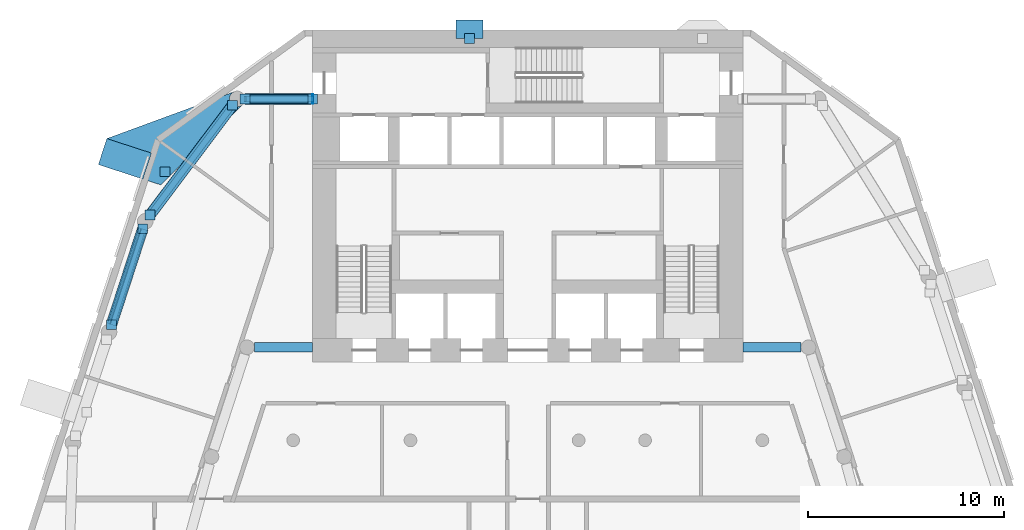
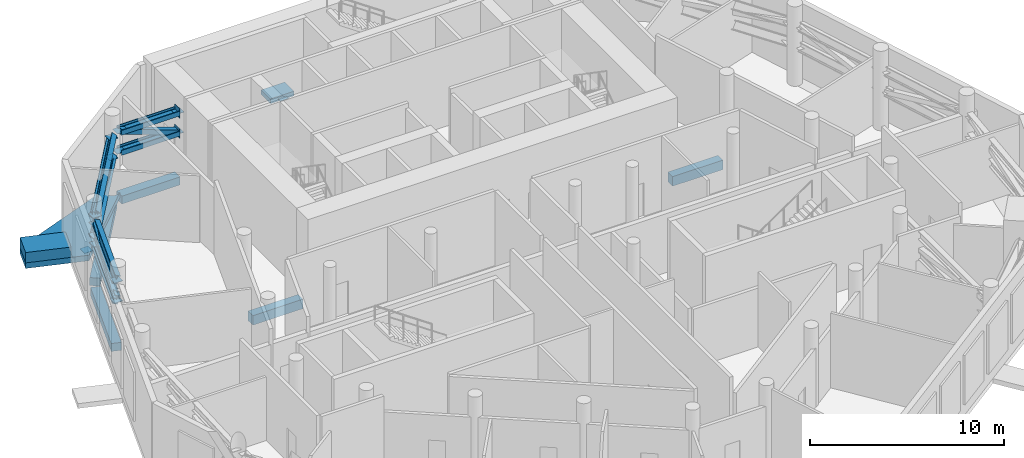
# One storey, part 4 of 15: 16 discrete accessories, 12 members, 5 beams.
"""IFC4 building model written with IfcOpenShell, lengths in metres."""

from ifc_helpers import new_model, si_unit, direction, frame, origin, origin_2d, place, context, subcontext, project, spatial, polyline, rectangle, hollow_rectangle, i_section, outline, extrude, material, layer, layer_set, material_profile, profile_set, type_object, element, aggregate, save


model = new_model("IFC4")

# Units and contexts
model_context = context("Model", 3, precision=1e-05, world=origin(), true_north=direction((0.0, 1.0)))
body_context = subcontext(model_context, "Body", "Model", "MODEL_VIEW")
ifc_project = project(units=[si_unit("LENGTHUNIT", "METRE"), si_unit("AREAUNIT", "SQUARE_METRE"), si_unit("VOLUMEUNIT", "CUBIC_METRE"), si_unit("PLANEANGLEUNIT", "RADIAN"), si_unit("MASSUNIT", "GRAM", prefix="KILO")], contexts=[model_context])

# Site, building, storey
site_placement = place(None, origin())
site = spatial("IfcSite", under=ifc_project, at=site_placement, CompositionType="ELEMENT")
building_placement = place(site_placement, origin())
building = spatial("IfcBuilding", under=site, at=building_placement, Name="White Candle Pilgrim Tower", CompositionType="ELEMENT")
storey_placement = place(building_placement, frame((0.0, 0.0, 85.800048828125)))
storey = spatial("IfcBuildingStorey", under=building, at=storey_placement, Name="L18", CompositionType="ELEMENT", Elevation=85.800048828125)

# Member
ifc_material_1 = material(Name="Steel S355", Category="steel")
ifc_material_profile_1 = material_profile(ifc_material_1, i_section(OverallWidth=0.305908203125, OverallDepth=0.52392578125, WebThickness=0.02099609375, FlangeThickness=0.0400390625, FilletRadius=0.027099609375, at=origin_2d()), Name="HEM 500")
ifc_profile_set_1 = profile_set([ifc_material_profile_1], Name="Steel S355")
member_type_1 = type_object("IfcMemberType", Name="Belt truss chord HEM 500 S355", PredefinedType="CHORD", material=ifc_profile_set_1)
member_1_placement = place(storey_placement, frame((55.5400390625, 84.4599609375, 2.411865234375), z_axis=(1.0, 0.0, 0.0), x_axis=(0.0, 0.0, 1.0)))
member_1 = element("IfcMember", 1, at=member_1_placement, inside=storey, type_object=member_type_1, Name="L18 belt truss bottom chord 12", PredefinedType="CHORD", context=body_context, shape_type="SweptSolid", body=[
    extrude(i_section(OverallWidth=0.305908203125, OverallDepth=0.52392578125, WebThickness=0.02099609375, FlangeThickness=0.0400390625, FilletRadius=0.027099609375, at=origin_2d()), origin(), (0.0, 0.0, 1.0), 3.4599609375),
])

member_2_placement = place(storey_placement, frame((55.5400390625, 84.4599609375, 3.677978515625), z_axis=(1.0, 0.0, 0.0), x_axis=(0.0, 0.0, 1.0)))
member_2 = element("IfcMember", 2, at=member_2_placement, inside=storey, type_object=member_type_1, Name="L18 belt truss top chord 12", PredefinedType="CHORD", context=body_context, shape_type="SweptSolid", body=[
    extrude(i_section(OverallWidth=0.305908203125, OverallDepth=0.52392578125, WebThickness=0.02099609375, FlangeThickness=0.0400390625, FilletRadius=0.027099609375, at=origin_2d()), origin(), (0.0, 0.0, 1.0), 3.4599609375),
])

member_3_placement = place(storey_placement, frame((54.899658203125, 84.140380859375, 2.411865234375), z_axis=(-0.601237643972, -0.79907026942, 0.0), x_axis=(0.638522093068, -0.480437745655, -0.601223011215)))
member_3 = element("IfcMember", 3, at=member_3_placement, inside=storey, type_object=member_type_1, Name="L18 belt truss bottom chord 13", PredefinedType="CHORD", context=body_context, shape_type="SweptSolid", body=[
    extrude(i_section(OverallWidth=0.305908203125, OverallDepth=0.52392578125, WebThickness=0.02099609375, FlangeThickness=0.0400390625, FilletRadius=0.027099609375, at=origin_2d()), origin(), (0.0, 0.0, 1.0), 7.0341796875),
])

member_4_placement = place(storey_placement, frame((54.899658203125, 84.140380859375, 3.677978515625), z_axis=(-0.601237643972, -0.79907026942, 0.0), x_axis=(0.638522093068, -0.480437745655, -0.601223011215)))
member_4 = element("IfcMember", 4, at=member_4_placement, inside=storey, type_object=member_type_1, Name="L18 belt truss top chord 13", PredefinedType="CHORD", context=body_context, shape_type="SweptSolid", body=[
    extrude(i_section(OverallWidth=0.305908203125, OverallDepth=0.52392578125, WebThickness=0.02099609375, FlangeThickness=0.0400390625, FilletRadius=0.027099609375, at=origin_2d()), origin(), (0.0, 0.0, 1.0), 7.0341796875),
])

member_5_placement = place(storey_placement, frame((50.305908203125, 77.81982421875, 2.411865234375), z_axis=(-0.310165508273, -0.950682574511, 0.0), x_axis=(0.903789199888, -0.29486628247, -0.310191807805)))
member_5 = element("IfcMember", 5, at=member_5_placement, inside=storey, type_object=member_type_1, Name="L18 belt truss bottom chord 14", PredefinedType="CHORD", context=body_context, shape_type="SweptSolid", body=[
    extrude(i_section(OverallWidth=0.305908203125, OverallDepth=0.52392578125, WebThickness=0.02099609375, FlangeThickness=0.0400390625, FilletRadius=0.027099609375, at=origin_2d()), origin(), (0.0, 0.0, 1.0), 5.164306640625),
])

member_6_placement = place(storey_placement, frame((50.305908203125, 77.81982421875, 3.677978515625), z_axis=(-0.310165508273, -0.950682574511, 0.0), x_axis=(0.903789199888, -0.29486628247, -0.310191807805)))
member_6 = element("IfcMember", 6, at=member_6_placement, inside=storey, type_object=member_type_1, Name="L18 belt truss top chord 14", PredefinedType="CHORD", context=body_context, shape_type="SweptSolid", body=[
    extrude(i_section(OverallWidth=0.305908203125, OverallDepth=0.52392578125, WebThickness=0.02099609375, FlangeThickness=0.0400390625, FilletRadius=0.027099609375, at=origin_2d()), origin(), (0.0, 0.0, 1.0), 5.164306640625),
])

# Members
ifc_material_profile_2 = material_profile(ifc_material_1, hollow_rectangle(XDim=0.300048828125, YDim=0.300048828125, WallThickness=0.01611328125, at=origin_2d()), Name="SHS 300x300x16")
ifc_profile_set_2 = profile_set([ifc_material_profile_2], Name="Steel S355")
member_type_2 = type_object("IfcMemberType", Name="Belt truss diagonal SHS 300x300x16 S355", PredefinedType="BRACE", material=ifc_profile_set_2)
member_7_placement = place(storey_placement, frame((55.5400390625, 84.4599609375, 3.677978515625), z_axis=(0.939098861151, 0.0, -0.343647099487), x_axis=(0.0, 1.0, 0.0)))
element("IfcMember", 7, at=member_7_placement, inside=storey, type_object=member_type_2, Name="L18 belt truss diagonal 12", PredefinedType="BRACE", context=body_context, shape_type="SweptSolid", body=[
    extrude(hollow_rectangle(XDim=0.300048828125, YDim=0.300048828125, WallThickness=0.01611328125, at=origin_2d()), origin(), (0.0, 0.0, 1.0), 3.684326171875),
])
member_8_placement = place(storey_placement, frame((54.899658203125, 84.140380859375, 2.411865234375), z_axis=(-0.591728786998, -0.786432596148, 0.177146307763), x_axis=(0.79907026942, -0.601237643972, 0.0)))
element("IfcMember", 8, at=member_8_placement, inside=storey, type_object=member_type_2, Name="L18 belt truss diagonal 13", PredefinedType="BRACE", context=body_context, shape_type="SweptSolid", body=[
    extrude(hollow_rectangle(XDim=0.300048828125, YDim=0.300048828125, WallThickness=0.01611328125, at=origin_2d()), origin(), (0.0, 0.0, 1.0), 7.147216796875),
])
member_9_placement = place(storey_placement, frame((50.305908203125, 77.81982421875, 3.677978515625), z_axis=(-0.301244426885, -0.923338732611, -0.238112116724), x_axis=(0.950682574511, -0.310165508273, 0.0)))
element("IfcMember", 9, at=member_9_placement, inside=storey, type_object=member_type_2, Name="L18 belt truss diagonal 14", PredefinedType="BRACE", context=body_context, shape_type="SweptSolid", body=[
    extrude(hollow_rectangle(XDim=0.300048828125, YDim=0.300048828125, WallThickness=0.01611328125, at=origin_2d()), origin(), (0.0, 0.0, 1.0), 5.3173828125),
])

# Member
ifc_material_2 = material(Name="Concrete C70/85, white", Category="concrete")
ifc_layer_1 = layer(ifc_material_2, 0.300048828125)
ifc_layer_set_1 = layer_set([ifc_layer_1], Name="Node tie strut 3350x1400x300 C70/85")
member_type_3 = type_object("IfcMemberType", Name="Node tie strut 3350x1400x300 C70/85", PredefinedType="STRUT", material=ifc_layer_set_1)
member_10_placement = place(storey_placement, frame((0.0, 0.0, -0.35009765625)))
member_10 = element("IfcMember", 10, at=member_10_placement, inside=storey, type_object=member_type_3, Name="Node tie strut NC049", PredefinedType="STRUT", context=body_context, shape_type="SweptSolid", body=[
    extrude(outline(polyline([(51.2216796875, 80.06787109375), (55.4228515625, 84.17724609375), (55.40380859375, 84.1591796875), (55.383544921875, 84.142578125), (55.3623046875, 84.12744140625), (55.340087890625, 84.113525390625), (55.31689453125, 84.101318359375), (55.293212890625, 84.09033203125), (55.2685546875, 84.081298828125), (55.243408203125, 84.073486328125), (55.218017578125, 84.067626953125), (55.192138671875, 84.0634765625), (55.166259765625, 84.060791015625), (55.139892578125, 84.06005859375), (55.11376953125, 84.060791015625), (55.087890625, 84.0634765625), (55.06201171875, 84.067626953125), (55.03662109375, 84.073486328125), (55.011474609375, 84.081298828125), (54.98681640625, 84.09033203125), (54.963134765625, 84.101318359375), (54.93994140625, 84.113525390625), (54.917724609375, 84.12744140625), (54.896484375, 84.142578125), (54.876220703125, 84.1591796875), (54.857177734375, 84.17724609375), (54.83935546875, 84.1962890625), (54.82275390625, 84.216552734375), (54.807373046875, 84.23779296875), (54.793701171875, 84.260009765625), (54.78125, 84.283203125), (54.7705078125, 84.306884765625), (54.76123046875, 84.331298828125), (54.753662109375, 84.3564453125), (54.747802734375, 84.382080078125), (54.743408203125, 84.40771484375), (54.740966796875, 84.433837890625), (54.739990234375, 84.4599609375), (54.740966796875, 84.486083984375), (54.743408203125, 84.51220703125), (54.747802734375, 84.5380859375), (54.753662109375, 84.5634765625), (54.76123046875, 84.588623046875), (54.7705078125, 84.613037109375), (54.78125, 84.636962890625), (54.793701171875, 84.659912109375), (54.807373046875, 84.68212890625), (54.82275390625, 84.70361328125), (54.83935546875, 84.7236328125), (54.857177734375, 84.742919921875), (54.876220703125, 84.7607421875), (54.896484375, 84.77734375), (54.917724609375, 84.79248046875), (54.93994140625, 84.806396484375), (54.963134765625, 84.818603515625), (54.98681640625, 84.82958984375), (55.011474609375, 84.8388671875), (48.46826171875, 82.4345703125), (48.03564453125, 81.10302734375), (51.2216796875, 80.06787109375)])), origin(), (0.0, 0.0, 1.0), 0.35009765625),
])

member_11_placement = place(storey_placement, origin())
element("IfcMember", 11, at=member_11_placement, inside=storey, type_object=member_type_3, Name="Node tie strut NC049", PredefinedType="STRUT", context=body_context, shape_type="SweptSolid", body=[
    extrude(outline(polyline([(50.318115234375, 80.361328125), (50.750732421875, 81.69287109375), (48.46826171875, 82.4345703125), (48.03564453125, 81.10302734375), (50.318115234375, 80.361328125)])), origin(), (0.0, 0.0, 1.0), 0.64990234375),
])

ifc_layer_2 = layer(ifc_material_2, 0.300048828125)
ifc_layer_set_2 = layer_set([ifc_layer_2], Name="Node tie strut 950x1400x300 C70/85")
member_type_4 = type_object("IfcMemberType", Name="Node tie strut 950x1400x300 C70/85", PredefinedType="STRUT", material=ifc_layer_set_2)
member_12_placement = place(storey_placement, frame((67.02099609375, 88.02490234375, -0.30029296875), z_axis=(0.0, 0.0, 1.0), x_axis=(-1.0, 0.0, 0.0)))
member_12 = element("IfcMember", 12, at=member_12_placement, inside=storey, type_object=member_type_4, Name="Node tie strut NC044", PredefinedType="STRUT", context=body_context, shape_type="SweptSolid", body=[
    extrude(rectangle(XDim=1.39990234375, YDim=0.949951171875, at=origin_2d()), origin(), (0.0, 0.0, 1.0), 0.300048828125),
])

# Beams
ifc_material_3 = material(Name="Concrete C50/60", Category="concrete")
ifc_material_profile_3 = material_profile(ifc_material_3, rectangle(XDim=0.5, YDim=0.60009765625, at=origin_2d()), Name="RC-BM 500x600")
ifc_profile_set_3 = profile_set([ifc_material_profile_3], Name="Concrete C50/60")
beam_type_1 = type_object("IfcBeamType", Name="Ring beam RC-BM 500x600 C50/60", PredefinedType="BEAM", material=ifc_profile_set_3)
for number, where, z_axis, x_axis, name in (
    (13, (83.985107421875, 71.760009765625, -0.60009765625), (-1.0, 0.0, 0.0), (0.0, -1.0, 0.0), "L18 ring beam R10"),
    (14, (56.014892578125, 71.760009765625, -0.60009765625), (1.0, 0.0, 0.0), (0.0, 1.0, 0.0), "L18 ring beam R11"),
):
    element("IfcBeam", number, at=place(storey_placement, frame(where, z_axis=z_axis, x_axis=x_axis)), inside=storey, type_object=beam_type_1, Name=name, PredefinedType="BEAM", context=body_context, shape_type="SweptSolid", body=[
        extrude(rectangle(XDim=0.5, YDim=0.60009765625, at=origin_2d()), origin(), (0.0, 0.0, 1.0), 2.985107421875),
    ])
ifc_material_profile_4 = material_profile(ifc_material_3, rectangle(XDim=0.550048828125, YDim=0.5, at=origin_2d()), Name="RC-BM 550x500")
ifc_profile_set_4 = profile_set([ifc_material_profile_4], Name="Concrete C50/60")
beam_type_2 = type_object("IfcBeamType", Name="Spandrel beam RC-BM 550x500 C50/60", PredefinedType="BEAM", material=ifc_profile_set_4)
beam_1_placement = place(storey_placement, frame((55.5400390625, 84.4599609375, -0.550048828125), z_axis=(1.0, 0.0, 0.0), x_axis=(0.0, 1.0, 0.0)))
element("IfcBeam", 15, at=beam_1_placement, inside=storey, type_object=beam_type_2, Name="L18 spandrel beam T12", PredefinedType="BEAM", context=body_context, shape_type="SweptSolid", body=[
    extrude(rectangle(XDim=0.550048828125, YDim=0.5, at=origin_2d()), origin(), (0.0, 0.0, 1.0), 3.4599609375),
])
beam_2_placement = place(storey_placement, frame((54.899658203125, 84.140380859375, -0.550048828125), z_axis=(-0.601237643972, -0.79907026942, 0.0), x_axis=(0.79907026942, -0.601237643972, 0.0)))
element("IfcBeam", 16, at=beam_2_placement, inside=storey, type_object=beam_type_2, Name="L18 spandrel beam T13", PredefinedType="BEAM", context=body_context, shape_type="SweptSolid", body=[
    extrude(rectangle(XDim=0.550048828125, YDim=0.5, at=origin_2d()), origin(), (0.0, 0.0, 1.0), 7.0341796875),
])
beam_3_placement = place(storey_placement, frame((50.305908203125, 77.81982421875, -0.550048828125), z_axis=(-0.310165508273, -0.950682574511, 0.0), x_axis=(0.950682574511, -0.310165508273, 0.0)))
element("IfcBeam", 17, at=beam_3_placement, inside=storey, type_object=beam_type_2, Name="L18 spandrel beam T14", PredefinedType="BEAM", context=body_context, shape_type="SweptSolid", body=[
    extrude(rectangle(XDim=0.550048828125, YDim=0.5, at=origin_2d()), origin(), (0.0, 0.0, 1.0), 5.164306640625),
])

# Discrete accessory
ifc_layer_3 = layer(ifc_material_1, 0.030029296875)
ifc_layer_set_3 = layer_set([ifc_layer_3], Name="Cast-in plate 500x600x30 S355")
discrete_accessory_type_1 = type_object("IfcDiscreteAccessoryType", Name="Cast-in plate 500x600x30 S355", PredefinedType="ANCHORPLATE", material=ifc_layer_set_3)
discrete_accessory_1_placement = place(storey_placement, frame((59.0, 84.4599609375, 2.11181640625), z_axis=(0.0, 0.0, 1.0), x_axis=(-1.0, 0.0, 0.0)))
discrete_accessory_1 = element("IfcDiscreteAccessory", 18, at=discrete_accessory_1_placement, type_object=discrete_accessory_type_1, Name="Cast-in plate 0005", PredefinedType="ANCHORPLATE", context=body_context, shape_type="SweptSolid", body=[
    extrude(rectangle(XDim=0.030029296875, YDim=0.5, at=origin_2d()), origin(), (0.0, 0.0, 1.0), 0.60009765625),
])

discrete_accessory_2_placement = place(storey_placement, frame((59.0, 84.4599609375, 3.3779296875), z_axis=(0.0, 0.0, 1.0), x_axis=(-1.0, 0.0, 0.0)))
discrete_accessory_2 = element("IfcDiscreteAccessory", 19, at=discrete_accessory_2_placement, type_object=discrete_accessory_type_1, Name="Cast-in plate 0006", PredefinedType="ANCHORPLATE", context=body_context, shape_type="SweptSolid", body=[
    extrude(rectangle(XDim=0.030029296875, YDim=0.5, at=origin_2d()), origin(), (0.0, 0.0, 1.0), 0.60009765625),
])

ifc_layer_4 = layer(ifc_material_1, 0.02490234375)
ifc_layer_set_4 = layer_set([ifc_layer_4], Name="Gusset plate 500x500x25 S355")
discrete_accessory_type_2 = type_object("IfcDiscreteAccessoryType", Name="Gusset plate 500x500x25 S355", PredefinedType="BRACKET", material=ifc_layer_set_4)
discrete_accessory_3_placement = place(storey_placement, frame((67.02099609375, 87.550048828125, -0.16259765625), z_axis=(0.0, 0.0, 1.0), x_axis=(1.0, 0.0, 0.0)))
discrete_accessory_3 = element("IfcDiscreteAccessory", 20, at=discrete_accessory_3_placement, type_object=discrete_accessory_type_2, Name="Gusset plate 0425", PredefinedType="BRACKET", context=body_context, shape_type="SweptSolid", body=[
    extrude(rectangle(XDim=0.5, YDim=0.5, at=origin_2d()), origin(), (0.0, 0.0, 1.0), 0.02490234375),
])

aggregate(member_12, [discrete_accessory_3])

discrete_accessory_4_placement = place(storey_placement, frame((51.43798828125, 80.733642578125, -0.16259765625), z_axis=(0.0, 0.0, 1.0), x_axis=(1.0, 0.0, 0.0)))
discrete_accessory_4 = element("IfcDiscreteAccessory", 21, at=discrete_accessory_4_placement, type_object=discrete_accessory_type_2, Name="Gusset plate 0430", PredefinedType="BRACKET", context=body_context, shape_type="SweptSolid", body=[
    extrude(rectangle(XDim=0.5, YDim=0.5, at=origin_2d()), origin(), (0.0, 0.0, 1.0), 0.02490234375),
])

aggregate(member_10, [discrete_accessory_4])

discrete_accessory_5_placement = place(storey_placement, frame((55.5400390625, 84.4599609375, 2.3994140625), z_axis=(0.0, 0.0, 1.0), x_axis=(1.0, 0.0, 0.0)))
discrete_accessory_5 = element("IfcDiscreteAccessory", 22, at=discrete_accessory_5_placement, type_object=discrete_accessory_type_2, Name="Gusset plate 0702", PredefinedType="BRACKET", context=body_context, shape_type="SweptSolid", body=[
    extrude(rectangle(XDim=0.5, YDim=0.5, at=origin_2d()), origin(), (0.0, 0.0, 1.0), 0.02490234375),
])

discrete_accessory_6_placement = place(storey_placement, frame((59.0, 84.4599609375, 2.3994140625), z_axis=(0.0, 0.0, 1.0), x_axis=(1.0, 0.0, 0.0)))
discrete_accessory_6 = element("IfcDiscreteAccessory", 23, at=discrete_accessory_6_placement, type_object=discrete_accessory_type_2, Name="Gusset plate 0703", PredefinedType="BRACKET", context=body_context, shape_type="SweptSolid", body=[
    extrude(rectangle(XDim=0.5, YDim=0.5, at=origin_2d()), origin(), (0.0, 0.0, 1.0), 0.02490234375),
])

aggregate(member_1, [discrete_accessory_5, discrete_accessory_6, discrete_accessory_1])

discrete_accessory_7_placement = place(storey_placement, frame((55.5400390625, 84.4599609375, 3.66552734375), z_axis=(0.0, 0.0, 1.0), x_axis=(1.0, 0.0, 0.0)))
discrete_accessory_7 = element("IfcDiscreteAccessory", 24, at=discrete_accessory_7_placement, type_object=discrete_accessory_type_2, Name="Gusset plate 0704", PredefinedType="BRACKET", context=body_context, shape_type="SweptSolid", body=[
    extrude(rectangle(XDim=0.5, YDim=0.5, at=origin_2d()), origin(), (0.0, 0.0, 1.0), 0.02490234375),
])

discrete_accessory_8_placement = place(storey_placement, frame((59.0, 84.4599609375, 3.66552734375), z_axis=(0.0, 0.0, 1.0), x_axis=(1.0, 0.0, 0.0)))
discrete_accessory_8 = element("IfcDiscreteAccessory", 25, at=discrete_accessory_8_placement, type_object=discrete_accessory_type_2, Name="Gusset plate 0705", PredefinedType="BRACKET", context=body_context, shape_type="SweptSolid", body=[
    extrude(rectangle(XDim=0.5, YDim=0.5, at=origin_2d()), origin(), (0.0, 0.0, 1.0), 0.02490234375),
])

aggregate(member_2, [discrete_accessory_7, discrete_accessory_8, discrete_accessory_2])

discrete_accessory_9_placement = place(storey_placement, frame((54.899658203125, 84.140380859375, 2.3994140625), z_axis=(0.0, 0.0, 1.0), x_axis=(1.0, 0.0, 0.0)))
discrete_accessory_9 = element("IfcDiscreteAccessory", 26, at=discrete_accessory_9_placement, type_object=discrete_accessory_type_2, Name="Gusset plate 0706", PredefinedType="BRACKET", context=body_context, shape_type="SweptSolid", body=[
    extrude(rectangle(XDim=0.5, YDim=0.5, at=origin_2d()), origin(), (0.0, 0.0, 1.0), 0.02490234375),
])

discrete_accessory_10_placement = place(storey_placement, frame((50.67041015625, 78.51953125, 2.3994140625), z_axis=(0.0, 0.0, 1.0), x_axis=(1.0, 0.0, 0.0)))
discrete_accessory_10 = element("IfcDiscreteAccessory", 27, at=discrete_accessory_10_placement, type_object=discrete_accessory_type_2, Name="Gusset plate 0707", PredefinedType="BRACKET", context=body_context, shape_type="SweptSolid", body=[
    extrude(rectangle(XDim=0.5, YDim=0.5, at=origin_2d()), origin(), (0.0, 0.0, 1.0), 0.02490234375),
])

aggregate(member_3, [discrete_accessory_9, discrete_accessory_10])

discrete_accessory_11_placement = place(storey_placement, frame((54.899658203125, 84.140380859375, 3.66552734375), z_axis=(0.0, 0.0, 1.0), x_axis=(1.0, 0.0, 0.0)))
discrete_accessory_11 = element("IfcDiscreteAccessory", 28, at=discrete_accessory_11_placement, type_object=discrete_accessory_type_2, Name="Gusset plate 0708", PredefinedType="BRACKET", context=body_context, shape_type="SweptSolid", body=[
    extrude(rectangle(XDim=0.5, YDim=0.5, at=origin_2d()), origin(), (0.0, 0.0, 1.0), 0.02490234375),
])

discrete_accessory_12_placement = place(storey_placement, frame((50.67041015625, 78.51953125, 3.66552734375), z_axis=(0.0, 0.0, 1.0), x_axis=(1.0, 0.0, 0.0)))
discrete_accessory_12 = element("IfcDiscreteAccessory", 29, at=discrete_accessory_12_placement, type_object=discrete_accessory_type_2, Name="Gusset plate 0709", PredefinedType="BRACKET", context=body_context, shape_type="SweptSolid", body=[
    extrude(rectangle(XDim=0.5, YDim=0.5, at=origin_2d()), origin(), (0.0, 0.0, 1.0), 0.02490234375),
])

aggregate(member_4, [discrete_accessory_11, discrete_accessory_12])

discrete_accessory_13_placement = place(storey_placement, frame((50.305908203125, 77.81982421875, 2.3994140625), z_axis=(0.0, 0.0, 1.0), x_axis=(1.0, 0.0, 0.0)))
discrete_accessory_13 = element("IfcDiscreteAccessory", 30, at=discrete_accessory_13_placement, type_object=discrete_accessory_type_2, Name="Gusset plate 0710", PredefinedType="BRACKET", context=body_context, shape_type="SweptSolid", body=[
    extrude(rectangle(XDim=0.5, YDim=0.5, at=origin_2d()), origin(), (0.0, 0.0, 1.0), 0.02490234375),
])

discrete_accessory_14_placement = place(storey_placement, frame((48.7041015625, 72.91015625, 2.3994140625), z_axis=(0.0, 0.0, 1.0), x_axis=(1.0, 0.0, 0.0)))
discrete_accessory_14 = element("IfcDiscreteAccessory", 31, at=discrete_accessory_14_placement, type_object=discrete_accessory_type_2, Name="Gusset plate 0711", PredefinedType="BRACKET", context=body_context, shape_type="SweptSolid", body=[
    extrude(rectangle(XDim=0.5, YDim=0.5, at=origin_2d()), origin(), (0.0, 0.0, 1.0), 0.02490234375),
])

aggregate(member_5, [discrete_accessory_13, discrete_accessory_14])

discrete_accessory_15_placement = place(storey_placement, frame((50.305908203125, 77.81982421875, 3.66552734375), z_axis=(0.0, 0.0, 1.0), x_axis=(1.0, 0.0, 0.0)))
discrete_accessory_15 = element("IfcDiscreteAccessory", 32, at=discrete_accessory_15_placement, type_object=discrete_accessory_type_2, Name="Gusset plate 0712", PredefinedType="BRACKET", context=body_context, shape_type="SweptSolid", body=[
    extrude(rectangle(XDim=0.5, YDim=0.5, at=origin_2d()), origin(), (0.0, 0.0, 1.0), 0.02490234375),
])

discrete_accessory_16_placement = place(storey_placement, frame((48.7041015625, 72.91015625, 3.66552734375), z_axis=(0.0, 0.0, 1.0), x_axis=(1.0, 0.0, 0.0)))
discrete_accessory_16 = element("IfcDiscreteAccessory", 33, at=discrete_accessory_16_placement, type_object=discrete_accessory_type_2, Name="Gusset plate 0713", PredefinedType="BRACKET", context=body_context, shape_type="SweptSolid", body=[
    extrude(rectangle(XDim=0.5, YDim=0.5, at=origin_2d()), origin(), (0.0, 0.0, 1.0), 0.02490234375),
])

aggregate(member_6, [discrete_accessory_15, discrete_accessory_16])

save(model, "model.ifc")
